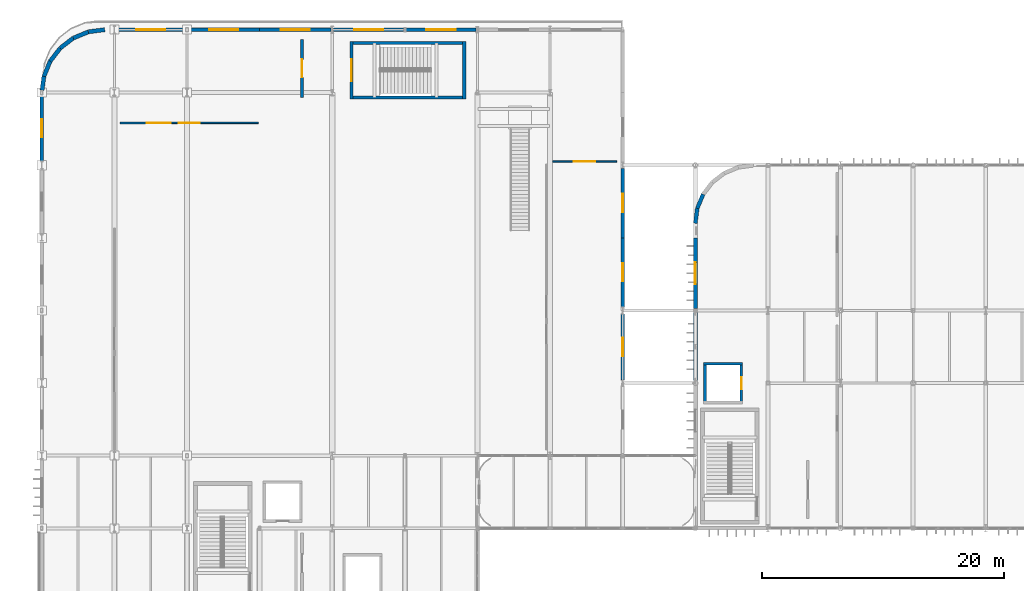
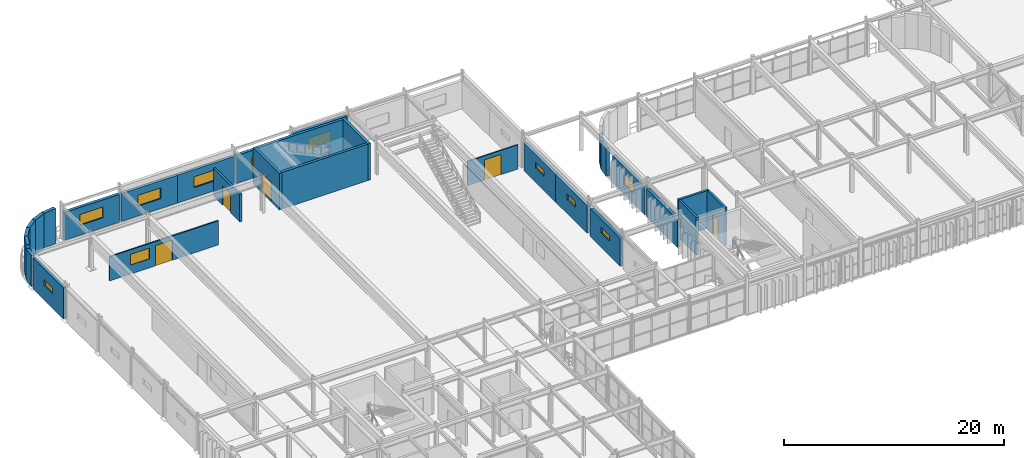
# One storey, part 90 of 116: 29 walls, 11 windows, 5 doors, 16 openings.
"""IFC4 building model written with IfcOpenShell, lengths in metres."""

import ifcopenshell
import ifcopenshell.guid

model = None  # the IFC model being written
_history = None  # IfcOwnerHistory: only IFC2X3 demands one
_inside = {}  # id of a spatial element -> (the spatial element, [elements in it])
_under = {}  # id of a project, library or spatial element -> (it, [spatial elements below it])
_declared = {}  # id of a project -> (the project, [libraries it declares])
_typed = {}  # id of a type object -> (the type object, [elements of that type])
_made_of = {}  # id of a material, layer set ... -> (it, [elements and type objects made of it])


def new_model(schema):
    """Start an empty IFC model of exactly this schema.

    Asked for "IFC4X3", IfcOpenShell would pick the latest addendum, in which some entities
    have other attributes; the version numbers below select the first issue.
    IFC2X3 requires an IfcOwnerHistory on every rooted entity: one is made here for all.
    """
    global model, _history
    if schema == "IFC4X3":
        model = ifcopenshell.file(schema_version=(4, 3, 0, 0))
    else:
        model = ifcopenshell.file(schema=schema)
    _inside.clear()
    _under.clear()
    _declared.clear()
    _typed.clear()
    _made_of.clear()
    _history = None
    if model.schema == "IFC2X3":
        org = make("IfcOrganization", Name="unknown")
        user = make(
            "IfcPersonAndOrganization",
            ThePerson=make("IfcPerson", FamilyName="unknown"),
            TheOrganization=org,
        )
        app = make(
            "IfcApplication",
            ApplicationDeveloper=org,
            Version="unknown",
            ApplicationFullName="unknown",
            ApplicationIdentifier="unknown",
        )
        _history = make(
            "IfcOwnerHistory",
            OwningUser=user,
            OwningApplication=app,
            ChangeAction="ADDED",
            CreationDate=0,
        )
    return model


def make(cls, **values):
    """One entity of the class cls with the attributes given. An attribute that is None is left unset."""
    return model.create_entity(
        cls, **{name: value for name, value in values.items() if value is not None}
    )


def rooted(cls, **values):
    """An entity with a GlobalId (a new one), such as an element, a storey or a relation."""
    return make(cls, GlobalId=ifcopenshell.guid.new(), OwnerHistory=_history, **values)


def si_unit(unit_type, name, prefix=None):
    """IfcSIUnit, for example si_unit("LENGTHUNIT", "METRE", prefix="MILLI")."""
    return make("IfcSIUnit", UnitType=unit_type, Prefix=prefix, Name=name)


def assignment(units):
    """IfcUnitAssignment: the units of a project."""
    return None if units is None else make("IfcUnitAssignment", Units=units)


def point(xyz):
    """IfcCartesianPoint."""
    return None if xyz is None else make("IfcCartesianPoint", Coordinates=xyz)


def direction(xyz):
    """IfcDirection."""
    return None if xyz is None else make("IfcDirection", DirectionRatios=xyz)


def frame(location, z_axis=None, x_axis=None):
    """IfcAxis2Placement3D, a coordinate frame: its origin and axes. An axis left out is left unset."""
    return make(
        "IfcAxis2Placement3D",
        Location=point(location),
        Axis=direction(z_axis),
        RefDirection=direction(x_axis),
    )


def frame_2d(location, x_axis=None):
    """IfcAxis2Placement2D, a coordinate frame in the plane: its origin and x axis."""
    return make(
        "IfcAxis2Placement2D", Location=point(location), RefDirection=direction(x_axis)
    )


def origin():
    """The frame at (0, 0, 0) with its axes left unset."""
    return frame((0.0, 0.0, 0.0))


def place(relative_to, where):
    """IfcLocalPlacement: puts the frame where relative to a parent placement (None: the world)."""
    return make(
        "IfcLocalPlacement", PlacementRelTo=relative_to, RelativePlacement=where
    )


def context(
    kind, dimensions, precision=None, world=None, true_north=None, identifier=None
):
    """IfcGeometricRepresentationContext, for example the 3D "Model" context."""
    return make(
        "IfcGeometricRepresentationContext",
        ContextIdentifier=identifier,
        ContextType=kind,
        CoordinateSpaceDimension=dimensions,
        Precision=precision,
        WorldCoordinateSystem=world,
        TrueNorth=true_north,
    )


def subcontext(parent, identifier, kind, view, scale=None):
    """IfcGeometricRepresentationSubContext, for example "Body" below "Model"."""
    return make(
        "IfcGeometricRepresentationSubContext",
        ContextIdentifier=identifier,
        ContextType=kind,
        ParentContext=parent,
        TargetScale=scale,
        TargetView=view,
    )


def project(units=None, contexts=None):
    """IfcProject with its units and contexts."""
    return rooted(
        "IfcProject",
        Name="project",
        RepresentationContexts=contexts,
        UnitsInContext=assignment(units),
    )


def spatial(cls, under=None, at=None, **own):
    """A site, building, storey or space (cls), placed at a placement, below another one or the project."""
    s = rooted(cls, ObjectPlacement=at, **own)
    if under is not None:
        _under.setdefault(under.id(), (under, []))[1].append(s)
    return s


def profile(cls, at=None, kind="AREA", **sizes):
    """A parametric profile (cls). Its sizes go by their IFC names, for example OverallWidth=200.0."""
    return make(cls, ProfileType=kind, Position=at, **sizes)


def rectangle(**sizes):
    """IfcRectangleProfileDef."""
    return profile("IfcRectangleProfileDef", **sizes)


def extrude(swept, where, along, depth):
    """IfcExtrudedAreaSolid: the profile swept, set in the frame where, extruded along a direction by depth."""
    return make(
        "IfcExtrudedAreaSolid",
        SweptArea=swept,
        Position=where,
        ExtrudedDirection=direction(along),
        Depth=depth,
    )


def shape(context_of_items, identifier, shape_type, items):
    """IfcShapeRepresentation: the items that make up one representation, for example the "Body"."""
    return make(
        "IfcShapeRepresentation",
        ContextOfItems=context_of_items,
        RepresentationIdentifier=identifier,
        RepresentationType=shape_type,
        Items=items,
    )


def material(Name=None, Category=None):
    """IfcMaterial."""
    return make("IfcMaterial", Name=Name, Category=Category)


def layer(
    of_material, thickness, ventilated=None, Name=None, Category=None, Priority=None
):
    """IfcMaterialLayer: one layer of a wall or slab, of a material (None: an air gap)."""
    return make(
        "IfcMaterialLayer",
        Material=of_material,
        LayerThickness=thickness,
        IsVentilated=ventilated,
        Name=Name,
        Category=Category,
        Priority=Priority,
    )


def layer_set(layers, Name=None):
    """IfcMaterialLayerSet."""
    return make("IfcMaterialLayerSet", MaterialLayers=layers, LayerSetName=Name)


def made_of(thing, what):
    """Note that an element or type object is made of a material, layer set ...; save() writes the relation."""
    if what is not None:
        _made_of.setdefault(what.id(), (what, []))[1].append(thing)
    return thing


def type_object(cls, material=None, **own):
    """A type object (cls), such as IfcWallType, which elements share."""
    return made_of(rooted(cls, **own), material)


def element(
    cls,
    number,
    at=None,
    inside=None,
    cuts=None,
    type_object=None,
    material=None,
    context=None,
    identifier="Body",
    shape_type=None,
    held_by="IfcProductDefinitionShape",
    body=None,
    shapes=None,
    **own,
):
    """One element of the class cls, such as IfcWall. Its Tag is "e" and its number.

    at: its placement. inside: the storey or other place that contains it. cuts: it is an
    opening in that element (IfcRelVoidsElement). A single representation is given by context,
    identifier, shape_type and body (its items); several are given by shapes. held_by: the class
    of the entity that holds the representations. save() writes the other relations.
    """
    e = rooted(cls, Tag="e%d" % number, ObjectPlacement=at, **own)
    if body is not None:
        shapes = [shape(context, identifier, shape_type, body)]
    if shapes is not None:
        e.Representation = make(held_by, Representations=shapes)
    if inside is not None:
        _inside.setdefault(inside.id(), (inside, []))[1].append(e)
    if cuts is not None:
        rooted(
            "IfcRelVoidsElement", RelatingBuildingElement=cuts, RelatedOpeningElement=e
        )
    if type_object is not None:
        _typed.setdefault(type_object.id(), (type_object, []))[1].append(e)
    return made_of(e, material)


def fill(opening, filler):
    """IfcRelFillsElement: the door or window that sits in an opening."""
    return rooted(
        "IfcRelFillsElement",
        RelatingOpeningElement=opening,
        RelatedBuildingElement=filler,
    )


def aggregate(whole, parts):
    """IfcRelAggregates: a whole, such as a stair, and the parts it consists of."""
    return rooted("IfcRelAggregates", RelatingObject=whole, RelatedObjects=parts)


def save(model, path):
    """Write the relations noted so far, then the file.

    IfcRelAggregates (storeys below a building ...), IfcRelContainedInSpatialStructure (elements
    in a storey), IfcRelDefinesByType, IfcRelAssociatesMaterial and IfcRelDeclares: one each for
    every whole, place, type object, material and project.
    """
    for whole, parts in _under.values():
        aggregate(whole, parts)
    for where, things in _inside.values():
        rooted(
            "IfcRelContainedInSpatialStructure",
            RelatedElements=things,
            RelatingStructure=where,
        )
    for kind, things in _typed.values():
        rooted("IfcRelDefinesByType", RelatedObjects=things, RelatingType=kind)
    for what, things in _made_of.values():
        rooted("IfcRelAssociatesMaterial", RelatedObjects=things, RelatingMaterial=what)
    for by, libraries in _declared.values():
        rooted("IfcRelDeclares", RelatingContext=by, RelatedDefinitions=libraries)
    model.write(path)


model = new_model("IFC4")

# Units and contexts
model_context = context("Model", 3, precision=1e-05, world=origin(), true_north=direction((0.0, 1.0)))
body_context = subcontext(model_context, "Body", "Model", "MODEL_VIEW")
ifc_project = project(units=[si_unit("LENGTHUNIT", "METRE"), si_unit("AREAUNIT", "SQUARE_METRE"), si_unit("VOLUMEUNIT", "CUBIC_METRE"), si_unit("PLANEANGLEUNIT", "RADIAN"), si_unit("MASSUNIT", "GRAM", prefix="KILO")], contexts=[model_context])

# Site, building, storey
site_placement = place(None, origin())
site = spatial("IfcSite", under=ifc_project, at=site_placement, CompositionType="ELEMENT")
building_placement = place(site_placement, origin())
building = spatial("IfcBuilding", under=site, at=building_placement, Name="Varnakota Square Police Headquarters", CompositionType="ELEMENT")
storey_placement = place(building_placement, frame((0.0, 0.0, 9.300048828125)))
storey = spatial("IfcBuildingStorey", under=building, at=storey_placement, Name="L02", CompositionType="ELEMENT", Elevation=9.300048828125)

# Wall, opening, door
ifc_material_1 = material(Name="Concrete M40", Category="concrete")
ifc_layer_1 = layer(ifc_material_1, 0.22998046875, Name="Concrete M40")
ifc_layer_set_1 = layer_set([ifc_layer_1], Name="Concrete M40")
wall_type_1 = type_object("IfcWallType", Name="WL-CORE-230", PredefinedType="SHEAR", material=ifc_layer_set_1)
wall_1_placement = place(storey_placement, frame((63.800048828125, 79.284912109375, 0.0), z_axis=(0.0, 0.0, 1.0), x_axis=(0.0, 1.0, 0.0)))
wall_1 = element("IfcWall", 1, at=wall_1_placement, inside=storey, type_object=wall_type_1, Name="Lift shaft wall LF-P4 L02 E", PredefinedType="SHEAR", context=body_context, shape_type="SweptSolid", body=[
    extrude(rectangle(XDim=3.43017578125, YDim=0.22998046875, at=frame_2d((1.715087890625, 0.0))), origin(), (0.0, 0.0, 1.0), 4.199951171875),
])
opening_1_placement = place(wall_1_placement, frame((1.215087890625, 0.0, 0.0)))
opening_1 = element("IfcOpeningElement", 2, at=opening_1_placement, cuts=wall_1, Name="Opening LD041", PredefinedType="OPENING", context=body_context, shape_type="SweptSolid", body=[
    extrude(rectangle(XDim=1.0, YDim=2.14990234375, at=frame_2d((0.5, 1.074951171875))), frame((0.0, 0.125, 0.0), z_axis=(0.0, -1.0, 0.0), x_axis=(1.0, 0.0, 0.0)), (0.0, 0.0, 1.0), 0.25),
])
ifc_material_2 = material(Name="Brushed Grade 316 Stainless Steel", Category="steel")
door_type_1 = type_object("IfcDoorType", Name="DR-LD-PAX", OperationType="NOTDEFINED", PredefinedType="DOOR", material=ifc_material_2)
door_1_placement = place(opening_1_placement, origin())
door_1 = element("IfcDoor", 3, at=door_1_placement, inside=storey, type_object=door_type_1, Name="Lift sliding landing door LD041", OperationType="SLIDING_TO_LEFT", OverallHeight=2.14990234375, OverallWidth=1.0, PredefinedType="DOOR", context=body_context, shape_type="SweptSolid", body=[
    extrude(rectangle(XDim=1.0, YDim=2.14990234375, at=frame_2d((0.5, 1.074951171875))), frame((0.0, 0.02490234375, 0.0), z_axis=(0.0, -1.0, 0.0), x_axis=(1.0, 0.0, 0.0)), (0.0, 0.0, 1.0), 0.050048828125),
])
fill(opening_1, door_1)

# Walls
wall_2_placement = place(storey_placement, frame((63.9150390625, 82.60009765625, 0.0), z_axis=(0.0, 0.0, 1.0), x_axis=(-1.0, 0.0, 0.0)))
element("IfcWall", 4, at=wall_2_placement, inside=storey, type_object=wall_type_1, Name="Lift shaft wall LF-P4 L02 N", PredefinedType="SHEAR", context=body_context, shape_type="SweptSolid", body=[
    extrude(rectangle(XDim=3.22998046875, YDim=0.22998046875, at=frame_2d((1.614990234375, 0.0))), origin(), (0.0, 0.0, 1.0), 4.199951171875),
])
wall_3_placement = place(storey_placement, frame((60.800048828125, 82.715087890625, 0.0), z_axis=(0.0, 0.0, 1.0), x_axis=(0.0, -1.0, 0.0)))
element("IfcWall", 5, at=wall_3_placement, inside=storey, type_object=wall_type_1, Name="Lift shaft wall LF-P4 L02 W", PredefinedType="SHEAR", context=body_context, shape_type="SweptSolid", body=[
    extrude(rectangle(XDim=3.43017578125, YDim=0.22998046875, at=frame_2d((1.715087890625, 0.0))), origin(), (0.0, 0.0, 1.0), 4.199951171875),
])
ifc_material_3 = material(Name="Concrete M50", Category="concrete")
ifc_layer_2 = layer(ifc_material_3, 0.27001953125, Name="Concrete M50")
ifc_layer_set_2 = layer_set([ifc_layer_2], Name="Concrete M50")
wall_type_2 = type_object("IfcWallType", Name="WL-CORE-270", PredefinedType="SHEAR", material=ifc_layer_set_2)
wall_4_placement = place(storey_placement, frame((31.465087890625, 104.60009765625, 0.0), z_axis=(0.0, 0.0, 1.0), x_axis=(1.0, 0.0, 0.0)))
element("IfcWall", 6, at=wall_4_placement, inside=storey, type_object=wall_type_2, Name="Core C7 shear wall L02 S", PredefinedType="SHEAR", context=body_context, shape_type="SweptSolid", body=[
    extrude(rectangle(XDim=9.56982421875, YDim=0.27001953125, at=frame_2d((4.784912109375, 0.0))), origin(), (0.0, 0.0, 1.0), 4.06005859375),
])
wall_5_placement = place(storey_placement, frame((40.89990234375, 104.465087890625, 0.0), z_axis=(0.0, 0.0, 1.0), x_axis=(0.0, 1.0, 0.0)))
element("IfcWall", 7, at=wall_5_placement, inside=storey, type_object=wall_type_2, Name="Core C7 shear wall L02 E", PredefinedType="SHEAR", context=body_context, shape_type="SweptSolid", body=[
    extrude(rectangle(XDim=4.77001953125, YDim=0.27001953125, at=frame_2d((2.385009765625, 0.0))), origin(), (0.0, 0.0, 1.0), 4.06005859375),
])
wall_6_placement = place(storey_placement, frame((41.034912109375, 109.10009765625, 0.0), z_axis=(0.0, 0.0, 1.0), x_axis=(-1.0, 0.0, 0.0)))
element("IfcWall", 8, at=wall_6_placement, inside=storey, type_object=wall_type_2, Name="Core C7 shear wall L02 N", PredefinedType="SHEAR", context=body_context, shape_type="SweptSolid", body=[
    extrude(rectangle(XDim=9.56982421875, YDim=0.27001953125, at=frame_2d((4.784912109375, 0.0))), origin(), (0.0, 0.0, 1.0), 4.06005859375),
])

# Wall, opening, door
wall_7_placement = place(storey_placement, frame((31.60009765625, 109.235107421875, 0.0), z_axis=(0.0, 0.0, 1.0), x_axis=(0.0, -1.0, 0.0)))
wall_7 = element("IfcWall", 9, at=wall_7_placement, inside=storey, type_object=wall_type_2, Name="Core C7 shear wall L02 W", PredefinedType="SHEAR", context=body_context, shape_type="SweptSolid", body=[
    extrude(rectangle(XDim=4.77001953125, YDim=0.27001953125, at=frame_2d((2.385009765625, 0.0))), origin(), (0.0, 0.0, 1.0), 4.06005859375),
])
opening_2_placement = place(wall_7_placement, frame((1.485107421875, 0.0, 0.0)))
opening_2 = element("IfcOpeningElement", 10, at=opening_2_placement, cuts=wall_7, Name="Opening SD106", PredefinedType="OPENING", context=body_context, shape_type="SweptSolid", body=[
    extrude(rectangle(XDim=1.800048828125, YDim=2.199951171875, at=frame_2d((0.89990234375, 1.10009765625))), frame((0.0, 0.14501953125, 0.0), z_axis=(0.0, -1.0, 0.0), x_axis=(1.0, 0.0, 0.0)), (0.0, 0.0, 1.0), 0.2900390625),
])
ifc_material_4 = material(Name="Powder-Coated Galvanised Steel", Category="steel")
door_type_2 = type_object("IfcDoorType", Name="DR-ST-180", OperationType="NOTDEFINED", PredefinedType="DOOR", material=ifc_material_4)
door_2_placement = place(opening_2_placement, origin())
door_2 = element("IfcDoor", 11, at=door_2_placement, inside=storey, type_object=door_type_2, Name="Protected stair door SD106", OperationType="DOUBLE_DOOR_SINGLE_SWING", OverallHeight=2.199951171875, OverallWidth=1.800048828125, PredefinedType="DOOR", context=body_context, shape_type="SweptSolid", body=[
    extrude(rectangle(XDim=1.800048828125, YDim=2.199951171875, at=frame_2d((0.89990234375, 1.10009765625))), frame((0.0, 0.02490234375, 0.0), z_axis=(0.0, -1.0, 0.0), x_axis=(1.0, 0.0, 0.0)), (0.0, 0.0, 1.0), 0.050048828125),
])
fill(opening_2, door_2)

# Wall, opening, window
ifc_material_5 = material(Name="Precast concrete M40", Category="concrete")
ifc_layer_3 = layer(ifc_material_5, 0.300048828125, Name="Precast concrete M40")
ifc_layer_set_3 = layer_set([ifc_layer_3], Name="Precast concrete M40")
wall_type_3 = type_object("IfcWallType", Name="WL-EXT-300", PredefinedType="SOLIDWALL", material=ifc_layer_set_3)
wall_8_placement = place(storey_placement, frame((12.10888671875, 110.199951171875, 0.0), z_axis=(0.0, 0.0, 1.0), x_axis=(1.0, 0.0, 0.0)))
wall_8 = element("IfcWall", 12, at=wall_8_placement, inside=storey, type_object=wall_type_3, Name="Exterior wall EW-L02-0608", PredefinedType="SOLIDWALL", context=body_context, shape_type="SweptSolid", body=[
    extrude(rectangle(XDim=5.787109375, YDim=0.300048828125, at=frame_2d((2.8935546875, 0.0))), origin(), (0.0, 0.0, 1.0), 3.08984375),
])
opening_3_placement = place(wall_8_placement, frame((1.693603515625, 0.0, 1.10009765625)))
opening_3 = element("IfcOpeningElement", 13, at=opening_3_placement, cuts=wall_8, Name="Opening W06", PredefinedType="OPENING", context=body_context, shape_type="SweptSolid", body=[
    extrude(rectangle(XDim=2.39990234375, YDim=1.199951171875, at=frame_2d((1.199951171875, 0.60009765625))), frame((0.0, 0.159912109375, 0.0), z_axis=(0.0, -1.0, 0.0), x_axis=(1.0, 0.0, 0.0)), (0.0, 0.0, 1.0), 0.320068359375),
])
ifc_material_6 = material(Name="Thermally Broken Aluminium Double-Glazed Window", Category="aluminium")
window_type_1 = type_object("IfcWindowType", Name="WIN-06", PartitioningType="SINGLE_PANEL", PredefinedType="WINDOW", material=ifc_material_6)
window_1_placement = place(opening_3_placement, origin())
window_1 = element("IfcWindow", 14, at=window_1_placement, inside=storey, type_object=window_type_1, Name="Window WN-L02-0133", OverallHeight=1.199951171875, OverallWidth=2.39990234375, PartitioningType="SINGLE_PANEL", PredefinedType="WINDOW", context=body_context, shape_type="SweptSolid", body=[
    extrude(rectangle(XDim=2.39990234375, YDim=1.199951171875, at=frame_2d((1.199951171875, 0.60009765625))), frame((0.0, 0.030029296875, 0.0), z_axis=(0.0, -1.0, 0.0), x_axis=(1.0, 0.0, 0.0)), (0.0, 0.0, 1.0), 0.06005859375),
])
fill(opening_3, window_1)

wall_9_placement = place(storey_placement, frame((18.10400390625, 110.199951171875, 0.0), z_axis=(0.0, 0.0, 1.0), x_axis=(1.0, 0.0, 0.0)))
wall_9 = element("IfcWall", 15, at=wall_9_placement, inside=storey, type_object=wall_type_3, Name="Exterior wall EW-L02-0609", PredefinedType="SOLIDWALL", context=body_context, shape_type="SweptSolid", body=[
    extrude(rectangle(XDim=5.89599609375, YDim=0.300048828125, at=frame_2d((2.947998046875, 0.0))), origin(), (0.0, 0.0, 1.0), 3.08984375),
])
opening_4_placement = place(wall_9_placement, frame((1.748046875, 0.0, 1.10009765625)))
opening_4 = element("IfcOpeningElement", 16, at=opening_4_placement, cuts=wall_9, Name="Opening W06", PredefinedType="OPENING", context=body_context, shape_type="SweptSolid", body=[
    extrude(rectangle(XDim=2.39990234375, YDim=1.199951171875, at=frame_2d((1.199951171875, 0.60009765625))), frame((0.0, 0.159912109375, 0.0), z_axis=(0.0, -1.0, 0.0), x_axis=(1.0, 0.0, 0.0)), (0.0, 0.0, 1.0), 0.320068359375),
])
window_2_placement = place(opening_4_placement, origin())
window_2 = element("IfcWindow", 17, at=window_2_placement, inside=storey, type_object=window_type_1, Name="Window WN-L02-0134", OverallHeight=1.199951171875, OverallWidth=2.39990234375, PartitioningType="SINGLE_PANEL", PredefinedType="WINDOW", context=body_context, shape_type="SweptSolid", body=[
    extrude(rectangle(XDim=2.39990234375, YDim=1.199951171875, at=frame_2d((1.199951171875, 0.60009765625))), frame((0.0, 0.030029296875, 0.0), z_axis=(0.0, -1.0, 0.0), x_axis=(1.0, 0.0, 0.0)), (0.0, 0.0, 1.0), 0.06005859375),
])
fill(opening_4, window_2)

wall_10_placement = place(storey_placement, frame((24.0, 110.199951171875, 0.0), z_axis=(0.0, 0.0, 1.0), x_axis=(1.0, 0.0, 0.0)))
wall_10 = element("IfcWall", 18, at=wall_10_placement, inside=storey, type_object=wall_type_3, Name="Exterior wall EW-L02-0610", PredefinedType="SOLIDWALL", context=body_context, shape_type="SweptSolid", body=[
    extrude(rectangle(XDim=5.89111328125, YDim=0.300048828125, at=frame_2d((2.945556640625, 0.0))), origin(), (0.0, 0.0, 1.0), 3.08984375),
])
opening_5_placement = place(wall_10_placement, frame((1.74560546875, 0.0, 1.10009765625)))
opening_5 = element("IfcOpeningElement", 19, at=opening_5_placement, cuts=wall_10, Name="Opening W06", PredefinedType="OPENING", context=body_context, shape_type="SweptSolid", body=[
    extrude(rectangle(XDim=2.39990234375, YDim=1.199951171875, at=frame_2d((1.199951171875, 0.60009765625))), frame((0.0, 0.159912109375, 0.0), z_axis=(0.0, -1.0, 0.0), x_axis=(1.0, 0.0, 0.0)), (0.0, 0.0, 1.0), 0.320068359375),
])
window_3_placement = place(opening_5_placement, origin())
window_3 = element("IfcWindow", 20, at=window_3_placement, inside=storey, type_object=window_type_1, Name="Window WN-L02-0135", OverallHeight=1.199951171875, OverallWidth=2.39990234375, PartitioningType="SINGLE_PANEL", PredefinedType="WINDOW", context=body_context, shape_type="SweptSolid", body=[
    extrude(rectangle(XDim=2.39990234375, YDim=1.199951171875, at=frame_2d((1.199951171875, 0.60009765625))), frame((0.0, 0.030029296875, 0.0), z_axis=(0.0, -1.0, 0.0), x_axis=(1.0, 0.0, 0.0)), (0.0, 0.0, 1.0), 0.06005859375),
])
fill(opening_5, window_3)

wall_11_placement = place(storey_placement, frame((30.10888671875, 110.199951171875, 0.0), z_axis=(0.0, 0.0, 1.0), x_axis=(1.0, 0.0, 0.0)))
wall_11 = element("IfcWall", 21, at=wall_11_placement, inside=storey, type_object=wall_type_3, Name="Exterior wall EW-L02-0611", PredefinedType="SOLIDWALL", context=body_context, shape_type="SweptSolid", body=[
    extrude(rectangle(XDim=5.787109375, YDim=0.300048828125, at=frame_2d((2.8935546875, 0.0))), origin(), (0.0, 0.0, 1.0), 3.08984375),
])
opening_6_placement = place(wall_11_placement, frame((1.693603515625, 0.0, 1.10009765625)))
opening_6 = element("IfcOpeningElement", 22, at=opening_6_placement, cuts=wall_11, Name="Opening W06", PredefinedType="OPENING", context=body_context, shape_type="SweptSolid", body=[
    extrude(rectangle(XDim=2.39990234375, YDim=1.199951171875, at=frame_2d((1.199951171875, 0.60009765625))), frame((0.0, 0.159912109375, 0.0), z_axis=(0.0, -1.0, 0.0), x_axis=(1.0, 0.0, 0.0)), (0.0, 0.0, 1.0), 0.320068359375),
])
window_4_placement = place(opening_6_placement, origin())
window_4 = element("IfcWindow", 23, at=window_4_placement, inside=storey, type_object=window_type_1, Name="Window WN-L02-0136", OverallHeight=1.199951171875, OverallWidth=2.39990234375, PartitioningType="SINGLE_PANEL", PredefinedType="WINDOW", context=body_context, shape_type="SweptSolid", body=[
    extrude(rectangle(XDim=2.39990234375, YDim=1.199951171875, at=frame_2d((1.199951171875, 0.60009765625))), frame((0.0, 0.030029296875, 0.0), z_axis=(0.0, -1.0, 0.0), x_axis=(1.0, 0.0, 0.0)), (0.0, 0.0, 1.0), 0.06005859375),
])
fill(opening_6, window_4)

wall_12_placement = place(storey_placement, frame((36.10400390625, 110.199951171875, 0.0), z_axis=(0.0, 0.0, 1.0), x_axis=(1.0, 0.0, 0.0)))
wall_12 = element("IfcWall", 24, at=wall_12_placement, inside=storey, type_object=wall_type_3, Name="Exterior wall EW-L02-0612", PredefinedType="SOLIDWALL", context=body_context, shape_type="SweptSolid", body=[
    extrude(rectangle(XDim=5.76708984375, YDim=0.300048828125, at=frame_2d((2.883544921875, 0.0))), origin(), (0.0, 0.0, 1.0), 3.389892578125),
])
opening_7_placement = place(wall_12_placement, frame((1.68359375, 0.0, 1.10009765625)))
opening_7 = element("IfcOpeningElement", 25, at=opening_7_placement, cuts=wall_12, Name="Opening W06", PredefinedType="OPENING", context=body_context, shape_type="SweptSolid", body=[
    extrude(rectangle(XDim=2.39990234375, YDim=1.199951171875, at=frame_2d((1.199951171875, 0.60009765625))), frame((0.0, 0.159912109375, 0.0), z_axis=(0.0, -1.0, 0.0), x_axis=(1.0, 0.0, 0.0)), (0.0, 0.0, 1.0), 0.320068359375),
])
window_5_placement = place(opening_7_placement, origin())
window_5 = element("IfcWindow", 26, at=window_5_placement, inside=storey, type_object=window_type_1, Name="Window WN-L02-0137", OverallHeight=1.199951171875, OverallWidth=2.39990234375, PartitioningType="SINGLE_PANEL", PredefinedType="WINDOW", context=body_context, shape_type="SweptSolid", body=[
    extrude(rectangle(XDim=2.39990234375, YDim=1.199951171875, at=frame_2d((1.199951171875, 0.60009765625))), frame((0.0, 0.030029296875, 0.0), z_axis=(0.0, -1.0, 0.0), x_axis=(1.0, 0.0, 0.0)), (0.0, 0.0, 1.0), 0.06005859375),
])
fill(opening_7, window_5)

# Wall
ifc_layer_4 = layer(ifc_material_5, 0.320068359375, Name="Precast concrete M40")
ifc_layer_set_4 = layer_set([ifc_layer_4], Name="Precast concrete M40")
wall_type_4 = type_object("IfcWallType", Name="WL-EXT-320", PredefinedType="SOLIDWALL", material=ifc_layer_set_4)
wall_13_placement = place(storey_placement, frame((60.0, 81.207275390625, 0.0), z_axis=(0.0, 0.0, 1.0), x_axis=(0.0, 1.0, 0.0)))
element("IfcWall", 27, at=wall_13_placement, inside=storey, type_object=wall_type_4, Name="Exterior wall EW-L02-0506", PredefinedType="SOLIDWALL", context=body_context, shape_type="SweptSolid", body=[
    extrude(rectangle(XDim=5.638671875, YDim=0.320068359375, at=frame_2d((2.8193359375, 0.0))), origin(), (0.0, 0.0, 1.0), 3.08984375),
])

# Wall, opening, window
wall_14_placement = place(storey_placement, frame((60.0, 87.154052734375, 0.0), z_axis=(0.0, 0.0, 1.0), x_axis=(0.0, 1.0, 0.0)))
wall_14 = element("IfcWall", 28, at=wall_14_placement, inside=storey, type_object=wall_type_4, Name="Exterior wall EW-L02-0507", PredefinedType="SOLIDWALL", context=body_context, shape_type="SweptSolid", body=[
    extrude(rectangle(XDim=5.845947265625, YDim=0.320068359375, at=frame_2d((2.9228515625, 0.0))), origin(), (0.0, 0.0, 1.0), 3.08984375),
])
opening_8_placement = place(wall_14_placement, frame((2.02294921875, 0.0, 1.10009765625)))
opening_8 = element("IfcOpeningElement", 29, at=opening_8_placement, cuts=wall_14, Name="Opening W05", PredefinedType="OPENING", context=body_context, shape_type="SweptSolid", body=[
    extrude(rectangle(XDim=1.800048828125, YDim=1.199951171875, at=frame_2d((0.89990234375, 0.60009765625))), frame((0.0, 0.169921875, 0.0), z_axis=(0.0, -1.0, 0.0), x_axis=(1.0, 0.0, 0.0)), (0.0, 0.0, 1.0), 0.340087890625),
])
window_type_2 = type_object("IfcWindowType", Name="WIN-05", PartitioningType="SINGLE_PANEL", PredefinedType="WINDOW", material=ifc_material_6)
window_6_placement = place(opening_8_placement, origin())
window_6 = element("IfcWindow", 30, at=window_6_placement, inside=storey, type_object=window_type_2, Name="Window WN-L02-0120", OverallHeight=1.199951171875, OverallWidth=1.800048828125, PartitioningType="SINGLE_PANEL", PredefinedType="WINDOW", context=body_context, shape_type="SweptSolid", body=[
    extrude(rectangle(XDim=1.800048828125, YDim=1.199951171875, at=frame_2d((0.89990234375, 0.60009765625))), frame((0.0, 0.030029296875, 0.0), z_axis=(0.0, -1.0, 0.0), x_axis=(1.0, 0.0, 0.0)), (0.0, 0.0, 1.0), 0.06005859375),
])
fill(opening_8, window_6)

# Walls
for number, where, z_axis, x_axis, name in (
    (31, (60.64306640625, 96.60009765625, 0.0), (0.0, 0.0, 1.0), (-0.382650053678, -0.92389335771, 0.0), "Exterior wall EW-L02-0512"),
    (32, (60.16357421875, 95.4423828125, 0.0), (0.0, 0.0, 1.0), (-0.130530106475, -0.991444346045, 0.0), "Exterior wall EW-L02-0513"),
):
    element("IfcWall", number, at=place(storey_placement, frame(where, z_axis=z_axis, x_axis=x_axis)), inside=storey, type_object=wall_type_4, Name=name, PredefinedType="SOLIDWALL", context=body_context, shape_type="SweptSolid", body=[
        extrude(rectangle(XDim=1.253173828125, YDim=0.320068359375, at=frame_2d((0.62646484375, 0.0))), origin(), (0.0, 0.0, 1.0), 3.08984375),
    ])

# Wall, opening, window
wall_15_placement = place(storey_placement, frame((6.0, 99.303955078125, 0.0), z_axis=(0.0, 0.0, 1.0), x_axis=(0.0, 1.0, 0.0)))
wall_15 = element("IfcWall", 33, at=wall_15_placement, inside=storey, type_object=wall_type_4, Name="Exterior wall EW-L02-0607", PredefinedType="SOLIDWALL", context=body_context, shape_type="SweptSolid", body=[
    extrude(rectangle(XDim=5.51708984375, YDim=0.320068359375, at=frame_2d((2.758544921875, 0.0))), origin(), (0.0, 0.0, 1.0), 3.43994140625),
])
opening_9_placement = place(wall_15_placement, frame((2.008544921875, 0.0, 1.60009765625)))
opening_9 = element("IfcOpeningElement", 34, at=opening_9_placement, cuts=wall_15, Name="Opening W14", PredefinedType="OPENING", context=body_context, shape_type="SweptSolid", body=[
    extrude(rectangle(XDim=1.5, YDim=0.60009765625, at=frame_2d((0.75, 0.300048828125))), frame((0.0, 0.169921875, 0.0), z_axis=(0.0, -1.0, 0.0), x_axis=(1.0, 0.0, 0.0)), (0.0, 0.0, 1.0), 0.340087890625),
])
window_type_3 = type_object("IfcWindowType", Name="WIN-14", PartitioningType="SINGLE_PANEL", PredefinedType="WINDOW", material=ifc_material_6)
window_7_placement = place(opening_9_placement, origin())
window_7 = element("IfcWindow", 35, at=window_7_placement, inside=storey, type_object=window_type_3, Name="Window WN-L02-0132", OverallHeight=0.60009765625, OverallWidth=1.5, PartitioningType="SINGLE_PANEL", PredefinedType="WINDOW", context=body_context, shape_type="SweptSolid", body=[
    extrude(rectangle(XDim=1.5, YDim=0.60009765625, at=frame_2d((0.75, 0.300048828125))), frame((0.0, 0.030029296875, 0.0), z_axis=(0.0, -1.0, 0.0), x_axis=(1.0, 0.0, 0.0)), (0.0, 0.0, 1.0), 0.06005859375),
])
fill(opening_9, window_7)

wall_16_placement = place(storey_placement, frame((54.0, 81.25390625, 0.0), z_axis=(0.0, 0.0, 1.0), x_axis=(0.0, 1.0, 0.0)))
wall_16 = element("IfcWall", 36, at=wall_16_placement, inside=storey, type_object=wall_type_4, Name="Exterior wall EW-L02-0616", PredefinedType="SOLIDWALL", context=body_context, shape_type="SweptSolid", body=[
    extrude(rectangle(XDim=5.442138671875, YDim=0.320068359375, at=frame_2d((2.72119140625, 0.0))), origin(), (0.0, 0.0, 1.0), 3.08984375),
])
opening_10_placement = place(wall_16_placement, frame((1.970947265625, 0.0, 1.60009765625)))
opening_10 = element("IfcOpeningElement", 37, at=opening_10_placement, cuts=wall_16, Name="Opening W14", PredefinedType="OPENING", context=body_context, shape_type="SweptSolid", body=[
    extrude(rectangle(XDim=1.5, YDim=0.60009765625, at=frame_2d((0.75, 0.300048828125))), frame((0.0, 0.169921875, 0.0), z_axis=(0.0, -1.0, 0.0), x_axis=(1.0, 0.0, 0.0)), (0.0, 0.0, 1.0), 0.340087890625),
])
window_8_placement = place(opening_10_placement, origin())
window_8 = element("IfcWindow", 38, at=window_8_placement, inside=storey, type_object=window_type_3, Name="Window WN-L02-0141", OverallHeight=0.60009765625, OverallWidth=1.5, PartitioningType="SINGLE_PANEL", PredefinedType="WINDOW", context=body_context, shape_type="SweptSolid", body=[
    extrude(rectangle(XDim=1.5, YDim=0.60009765625, at=frame_2d((0.75, 0.300048828125))), frame((0.0, 0.030029296875, 0.0), z_axis=(0.0, -1.0, 0.0), x_axis=(1.0, 0.0, 0.0)), (0.0, 0.0, 1.0), 0.06005859375),
])
fill(opening_10, window_8)

wall_17_placement = place(storey_placement, frame((54.0, 87.303955078125, 0.0), z_axis=(0.0, 0.0, 1.0), x_axis=(0.0, 1.0, 0.0)))
wall_17 = element("IfcWall", 39, at=wall_17_placement, inside=storey, type_object=wall_type_4, Name="Exterior wall EW-L02-0617", PredefinedType="SOLIDWALL", context=body_context, shape_type="SweptSolid", body=[
    extrude(rectangle(XDim=5.696044921875, YDim=0.320068359375, at=frame_2d((2.84814453125, 0.0))), origin(), (0.0, 0.0, 1.0), 3.08984375),
])
opening_11_placement = place(wall_17_placement, frame((2.097900390625, 0.0, 1.60009765625)))
opening_11 = element("IfcOpeningElement", 40, at=opening_11_placement, cuts=wall_17, Name="Opening W14", PredefinedType="OPENING", context=body_context, shape_type="SweptSolid", body=[
    extrude(rectangle(XDim=1.5, YDim=0.60009765625, at=frame_2d((0.75, 0.300048828125))), frame((0.0, 0.169921875, 0.0), z_axis=(0.0, -1.0, 0.0), x_axis=(1.0, 0.0, 0.0)), (0.0, 0.0, 1.0), 0.340087890625),
])
window_9_placement = place(opening_11_placement, origin())
window_9 = element("IfcWindow", 41, at=window_9_placement, inside=storey, type_object=window_type_3, Name="Window WN-L02-0142", OverallHeight=0.60009765625, OverallWidth=1.5, PartitioningType="SINGLE_PANEL", PredefinedType="WINDOW", context=body_context, shape_type="SweptSolid", body=[
    extrude(rectangle(XDim=1.5, YDim=0.60009765625, at=frame_2d((0.75, 0.300048828125))), frame((0.0, 0.030029296875, 0.0), z_axis=(0.0, -1.0, 0.0), x_axis=(1.0, 0.0, 0.0)), (0.0, 0.0, 1.0), 0.06005859375),
])
fill(opening_11, window_9)

wall_18_placement = place(storey_placement, frame((54.0, 93.0, 0.0), z_axis=(0.0, 0.0, 1.0), x_axis=(0.0, 1.0, 0.0)))
wall_18 = element("IfcWall", 42, at=wall_18_placement, inside=storey, type_object=wall_type_4, Name="Exterior wall EW-L02-0618", PredefinedType="SOLIDWALL", context=body_context, shape_type="SweptSolid", body=[
    extrude(rectangle(XDim=5.74609375, YDim=0.320068359375, at=frame_2d((2.873046875, 0.0))), origin(), (0.0, 0.0, 1.0), 3.08984375),
])
opening_12_placement = place(wall_18_placement, frame((2.123046875, 0.0, 1.60009765625)))
opening_12 = element("IfcOpeningElement", 43, at=opening_12_placement, cuts=wall_18, Name="Opening W14", PredefinedType="OPENING", context=body_context, shape_type="SweptSolid", body=[
    extrude(rectangle(XDim=1.5, YDim=0.60009765625, at=frame_2d((0.75, 0.300048828125))), frame((0.0, 0.169921875, 0.0), z_axis=(0.0, -1.0, 0.0), x_axis=(1.0, 0.0, 0.0)), (0.0, 0.0, 1.0), 0.340087890625),
])
window_10_placement = place(opening_12_placement, origin())
window_10 = element("IfcWindow", 44, at=window_10_placement, inside=storey, type_object=window_type_3, Name="Window WN-L02-0143", OverallHeight=0.60009765625, OverallWidth=1.5, PartitioningType="SINGLE_PANEL", PredefinedType="WINDOW", context=body_context, shape_type="SweptSolid", body=[
    extrude(rectangle(XDim=1.5, YDim=0.60009765625, at=frame_2d((0.75, 0.300048828125))), frame((0.0, 0.030029296875, 0.0), z_axis=(0.0, -1.0, 0.0), x_axis=(1.0, 0.0, 0.0)), (0.0, 0.0, 1.0), 0.06005859375),
])
fill(opening_12, window_10)

# Walls
ifc_layer_5 = layer(ifc_material_1, 0.340087890625, Name="Concrete M40")
ifc_layer_set_5 = layer_set([ifc_layer_5], Name="Concrete M40")
wall_type_5 = type_object("IfcWallType", Name="WL-EXT-340", PredefinedType="SOLIDWALL", material=ifc_layer_set_5)
wall_19_placement = place(storey_placement, frame((11.199951171875, 110.199951171875, 0.0), z_axis=(0.0, 0.0, 1.0), x_axis=(-0.991440211328, -0.130561507967, 0.0)))
element("IfcWall", 45, at=wall_19_placement, inside=storey, type_object=wall_type_5, Name="Exterior wall EW-L02-0621", PredefinedType="SOLIDWALL", context=body_context, shape_type="SweptSolid", body=[
    extrude(rectangle(XDim=1.357666015625, YDim=0.340087890625, at=frame_2d((0.6787109375, 0.0))), origin(), (0.0, 0.0, 1.0), 3.89501953125),
])
wall_20_placement = place(storey_placement, frame((9.85400390625, 110.022705078125, 0.0), z_axis=(0.0, 0.0, 1.0), x_axis=(-0.923905024937, -0.382621882407, 0.0)))
element("IfcWall", 46, at=wall_20_placement, inside=storey, type_object=wall_type_5, Name="Exterior wall EW-L02-0622", PredefinedType="SOLIDWALL", context=body_context, shape_type="SweptSolid", body=[
    extrude(rectangle(XDim=1.357177734375, YDim=0.340087890625, at=frame_2d((0.6787109375, 0.0))), origin(), (0.0, 0.0, 1.0), 3.89501953125),
])
wall_21_placement = place(storey_placement, frame((8.60009765625, 109.50341796875, 0.0), z_axis=(0.0, 0.0, 1.0), x_axis=(-0.793392131727, -0.60871087169, 0.0)))
element("IfcWall", 47, at=wall_21_placement, inside=storey, type_object=wall_type_5, Name="Exterior wall EW-L02-0623", PredefinedType="SOLIDWALL", context=body_context, shape_type="SweptSolid", body=[
    extrude(rectangle(XDim=1.357666015625, YDim=0.340087890625, at=frame_2d((0.6787109375, 0.0))), origin(), (0.0, 0.0, 1.0), 3.89501953125),
])
for number, where, z_axis, x_axis, name in (
    (48, (7.52294921875, 108.677001953125, 0.0), (0.0, 0.0, 1.0), (-0.608684515772, -0.793412351971, 0.0), "Exterior wall EW-L02-0624"),
    (49, (6.69677734375, 107.60009765625, 0.0), (0.0, 0.0, 1.0), (-0.382711820428, -0.92386777328, 0.0), "Exterior wall EW-L02-0625"),
):
    element("IfcWall", number, at=place(storey_placement, frame(where, z_axis=z_axis, x_axis=x_axis)), inside=storey, type_object=wall_type_5, Name=name, PredefinedType="SOLIDWALL", context=body_context, shape_type="SweptSolid", body=[
        extrude(rectangle(XDim=1.357421875, YDim=0.340087890625, at=frame_2d((0.6787109375, 0.0))), origin(), (0.0, 0.0, 1.0), 3.89501953125),
    ])
wall_22_placement = place(storey_placement, frame((6.17724609375, 106.345947265625, 0.0), z_axis=(0.0, 0.0, 1.0), x_axis=(-0.130546512768, -0.991442185911, 0.0)))
element("IfcWall", 50, at=wall_22_placement, inside=storey, type_object=wall_type_5, Name="Exterior wall EW-L02-0626", PredefinedType="SOLIDWALL", context=body_context, shape_type="SweptSolid", body=[
    extrude(rectangle(XDim=1.1669921875, YDim=0.340087890625, at=frame_2d((0.58349609375, 0.0))), origin(), (0.0, 0.0, 1.0), 3.43994140625),
])

# Wall, opening, door
ifc_material_7 = material(Name="Acoustic Insulated Metal-Stud Partition", Category="gypsum")
ifc_layer_6 = layer(ifc_material_7, 0.125, Name="Acoustic Insulated Metal-Stud Partition")
ifc_layer_set_6 = layer_set([ifc_layer_6], Name="Acoustic Insulated Metal-Stud Partition")
wall_type_6 = type_object("IfcWallType", Name="WL-PRT-125", PredefinedType="PARTITIONING", material=ifc_layer_set_6)
wall_23_placement = place(storey_placement, frame((48.199951171875, 99.300048828125, 0.0), z_axis=(0.0, 0.0, 1.0), x_axis=(1.0, 0.0, 0.0)))
wall_23 = element("IfcWall", 51, at=wall_23_placement, inside=storey, type_object=wall_type_6, Name="Interior partition PW-L02-0139 (Physical Conditioning Hall)", PredefinedType="PARTITIONING", context=body_context, shape_type="SweptSolid", body=[
    extrude(rectangle(XDim=5.300048828125, YDim=0.125, at=frame_2d((2.64990234375, 0.0))), origin(), (0.0, 0.0, 1.0), 2.68994140625),
])
opening_13_placement = place(wall_23_placement, frame((1.77490234375, 0.0, 0.0)))
opening_13 = element("IfcOpeningElement", 52, at=opening_13_placement, cuts=wall_23, Name="Opening D226", PredefinedType="OPENING", context=body_context, shape_type="SweptSolid", body=[
    extrude(rectangle(XDim=1.75, YDim=2.25, at=frame_2d((0.875, 1.125))), frame((0.0, 0.072509765625, 0.0), z_axis=(0.0, -1.0, 0.0), x_axis=(1.0, 0.0, 0.0)), (0.0, 0.0, 1.0), 0.14501953125),
])
ifc_material_8 = material(Name="Thermally Broken Anodised Aluminium and Toughened Glass", Category="aluminium")
door_type_3 = type_object("IfcDoorType", Name="DR-GYM-175", OperationType="NOTDEFINED", PredefinedType="DOOR", material=ifc_material_8)
door_3_placement = place(opening_13_placement, origin())
door_3 = element("IfcDoor", 53, at=door_3_placement, inside=storey, type_object=door_type_3, Name="Room door D226 (Physical Conditioning Hall)", OperationType="DOUBLE_DOOR_SINGLE_SWING", OverallHeight=2.25, OverallWidth=1.75, PredefinedType="DOOR", context=body_context, shape_type="SweptSolid", body=[
    extrude(rectangle(XDim=1.75, YDim=2.25, at=frame_2d((0.875, 1.125))), frame((0.0, 0.02490234375, 0.0), z_axis=(0.0, -1.0, 0.0), x_axis=(1.0, 0.0, 0.0)), (0.0, 0.0, 1.0), 0.050048828125),
])
fill(opening_13, door_3)

# Wall, openings, door, window
ifc_layer_7 = layer(ifc_material_7, 0.139892578125, Name="Acoustic Insulated Metal-Stud Partition")
ifc_layer_set_7 = layer_set([ifc_layer_7], Name="Acoustic Insulated Metal-Stud Partition")
wall_type_7 = type_object("IfcWallType", Name="WL-PRT-140", PredefinedType="PARTITIONING", material=ifc_layer_set_7)
wall_24_placement = place(storey_placement, frame((23.89990234375, 102.5, 0.0), z_axis=(0.0, 0.0, 1.0), x_axis=(-0.999999948574, -0.000320704679, 0.0)))
wall_24 = element("IfcWall", 54, at=wall_24_placement, inside=storey, type_object=wall_type_7, Name="Interior partition PW-L02-0141 (Women Locker Room)", PredefinedType="PARTITIONING", context=body_context, shape_type="SweptSolid", body=[
    extrude(rectangle(XDim=11.4189453125, YDim=0.139892578125, at=frame_2d((5.70947265625, 0.0))), origin(), (0.0, 0.0, 1.0), 2.68994140625),
])
opening_14_placement = place(wall_24_placement, frame((4.834716796875, 0.0, 0.0)))
opening_14 = element("IfcOpeningElement", 55, at=opening_14_placement, cuts=wall_24, Name="Opening D228", PredefinedType="OPENING", context=body_context, shape_type="SweptSolid", body=[
    extrude(rectangle(XDim=1.75, YDim=2.25, at=frame_2d((0.875, 1.125))), frame((0.0, 0.079833984375, 0.0), z_axis=(0.0, -1.0, 0.0), x_axis=(1.0, 0.0, 0.0)), (0.0, 0.0, 1.0), 0.159912109375),
])
opening_15_placement = place(wall_24_placement, frame((7.234619140625, 0.0, 1.0)))
opening_15 = element("IfcOpeningElement", 56, at=opening_15_placement, cuts=wall_24, Name="Opening IW01", PredefinedType="OPENING", context=body_context, shape_type="SweptSolid", body=[
    extrude(rectangle(XDim=2.0, YDim=1.199951171875, at=frame_2d((1.0, 0.60009765625))), frame((0.0, 0.079833984375, 0.0), z_axis=(0.0, -1.0, 0.0), x_axis=(1.0, 0.0, 0.0)), (0.0, 0.0, 1.0), 0.159912109375),
])
door_4_placement = place(opening_14_placement, origin())
door_4 = element("IfcDoor", 57, at=door_4_placement, inside=storey, type_object=door_type_3, Name="Room door D228 (Women Locker Room)", OperationType="DOUBLE_DOOR_SINGLE_SWING", OverallHeight=2.25, OverallWidth=1.75, PredefinedType="DOOR", context=body_context, shape_type="SweptSolid", body=[
    extrude(rectangle(XDim=1.75, YDim=2.25, at=frame_2d((0.875, 1.125))), frame((0.0, 0.02490234375, 0.0), z_axis=(0.0, -1.0, 0.0), x_axis=(1.0, 0.0, 0.0)), (0.0, 0.0, 1.0), 0.050048828125),
])
fill(opening_14, door_4)
ifc_material_9 = material(Name="Acoustic Laminated Interior Vision Glazing", Category="glass")
window_type_4 = type_object("IfcWindowType", Name="WIN-INT-01", PartitioningType="SINGLE_PANEL", PredefinedType="WINDOW", material=ifc_material_9)
window_11_placement = place(opening_15_placement, origin())
window_11 = element("IfcWindow", 58, at=window_11_placement, inside=storey, type_object=window_type_4, Name="Interior observation window IWN-L02-025", OverallHeight=1.199951171875, OverallWidth=2.0, PartitioningType="SINGLE_PANEL", PredefinedType="WINDOW", context=body_context, shape_type="SweptSolid", body=[
    extrude(rectangle(XDim=2.0, YDim=1.199951171875, at=frame_2d((1.0, 0.60009765625))), frame((0.0, 0.030029296875, 0.0), z_axis=(0.0, -1.0, 0.0), x_axis=(1.0, 0.0, 0.0)), (0.0, 0.0, 1.0), 0.06005859375),
])
fill(opening_15, window_11)

# Wall, opening, door
ifc_layer_8 = layer(ifc_material_1, 0.215087890625, Name="Concrete M40")
ifc_layer_set_8 = layer_set([ifc_layer_8], Name="Concrete M40")
wall_type_8 = type_object("IfcWallType", Name="WL-PRT-215F", PredefinedType="PARTITIONING", material=ifc_layer_set_8)
wall_25_placement = place(storey_placement, frame((27.5, 104.60009765625, 0.0), z_axis=(0.0, 0.0, 1.0), x_axis=(0.0, 1.0, 0.0)))
wall_25 = element("IfcWall", 59, at=wall_25_placement, inside=storey, type_object=wall_type_8, Name="Core C7 lobby fire partition L02", PredefinedType="PARTITIONING", context=body_context, shape_type="SweptSolid", body=[
    extrude(rectangle(XDim=4.7998046875, YDim=0.215087890625, at=frame_2d((2.39990234375, 0.0))), origin(), (0.0, 0.0, 1.0), 3.08984375),
])
opening_16_placement = place(wall_25_placement, frame((1.64990234375, 0.0, 0.0)))
opening_16 = element("IfcOpeningElement", 60, at=opening_16_placement, cuts=wall_25, Name="Opening FD111", PredefinedType="OPENING", context=body_context, shape_type="SweptSolid", body=[
    extrude(rectangle(XDim=1.5, YDim=2.14990234375, at=frame_2d((0.75, 1.074951171875))), frame((0.0, 0.117431640625, 0.0), z_axis=(0.0, -1.0, 0.0), x_axis=(1.0, 0.0, 0.0)), (0.0, 0.0, 1.0), 0.235107421875),
])
ifc_material_10 = material(Name="Smoke-Sealed Galvanised Acoustic Steel", Category="steel")
door_type_4 = type_object("IfcDoorType", Name="DR-FFL-150", OperationType="NOTDEFINED", PredefinedType="DOOR", material=ifc_material_10)
door_5_placement = place(opening_16_placement, origin())
door_5 = element("IfcDoor", 61, at=door_5_placement, inside=storey, type_object=door_type_4, Name="Core lobby smoke door FD111", OperationType="DOUBLE_DOOR_SINGLE_SWING", OverallHeight=2.14990234375, OverallWidth=1.5, PredefinedType="DOOR", context=body_context, shape_type="SweptSolid", body=[
    extrude(rectangle(XDim=1.5, YDim=2.14990234375, at=frame_2d((0.75, 1.074951171875))), frame((0.0, 0.02490234375, 0.0), z_axis=(0.0, -1.0, 0.0), x_axis=(1.0, 0.0, 0.0)), (0.0, 0.0, 1.0), 0.050048828125),
])
fill(opening_16, door_5)

save(model, "model.ifc")
